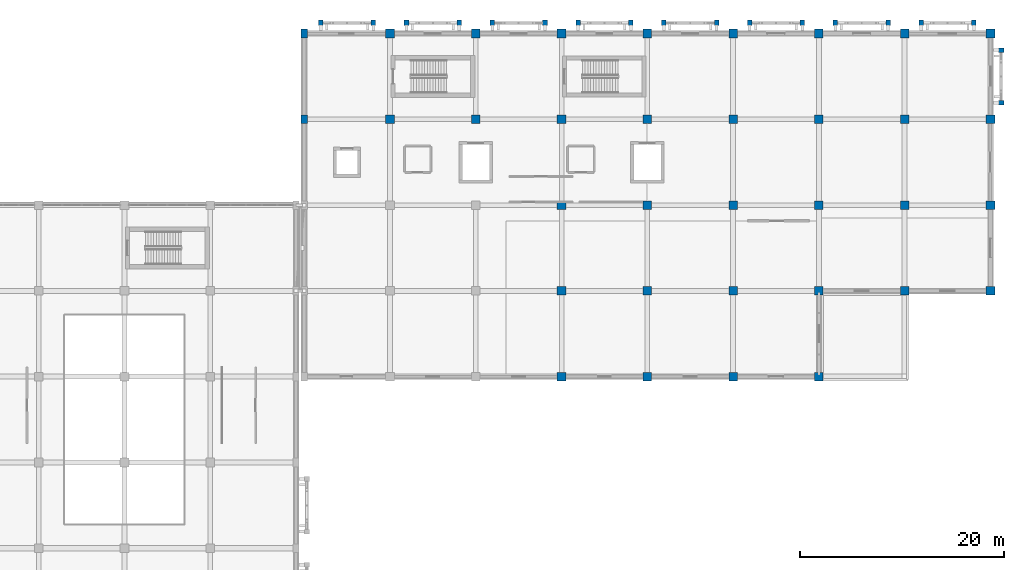
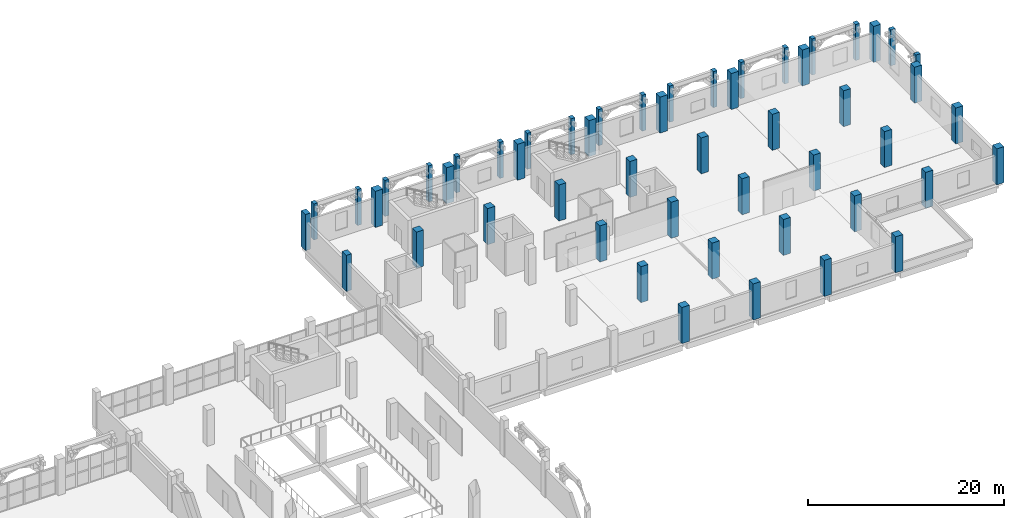
# One storey, part 2 of 137: 52 columns.
"""IFC4 building model written with IfcOpenShell, lengths in metres."""

from ifc_helpers import new_model, si_unit, direction, frame, origin, origin_2d, place, context, subcontext, project, spatial, rectangle, extrude, material, material_profile, profile_set, type_object, element, save


model = new_model("IFC4")

# Units and contexts
model_context = context("Model", 3, precision=1e-05, world=origin(), true_north=direction((0.0, 1.0)))
body_context = subcontext(model_context, "Body", "Model", "MODEL_VIEW")
ifc_project = project(units=[si_unit("LENGTHUNIT", "METRE"), si_unit("AREAUNIT", "SQUARE_METRE"), si_unit("VOLUMEUNIT", "CUBIC_METRE"), si_unit("PLANEANGLEUNIT", "RADIAN"), si_unit("MASSUNIT", "GRAM", prefix="KILO")], contexts=[model_context])

# Site, building, storey
site_placement = place(None, origin())
site = spatial("IfcSite", under=ifc_project, at=site_placement, CompositionType="ELEMENT")
building_placement = place(site_placement, origin())
building = spatial("IfcBuilding", under=site, at=building_placement, Name="Xazarin Passage Department Store", CompositionType="ELEMENT")
storey_placement = place(building_placement, frame((0.0, 0.0, 5.39990234375)))
storey = spatial("IfcBuildingStorey", under=building, at=storey_placement, Name="L01", CompositionType="ELEMENT", Elevation=5.39990234375)

# Columns
ifc_material = material(Name="Concrete C40/50", Category="concrete")
ifc_material_profile_1 = material_profile(ifc_material, rectangle(XDim=0.85009765625, YDim=0.85009765625, at=origin_2d()), Name="RC 850x850")
ifc_profile_set_1 = profile_set([ifc_material_profile_1], Name="Concrete C40/50")
column_type_1 = type_object("IfcColumnType", Name="STR-COL-RC850", PredefinedType="COLUMN", material=ifc_profile_set_1)
for number, where, z_axis, x_axis, name in (
    (1, (127.60009765625, 76.39990234375, 0.0), (0.0, 0.0, 1.0), (1.0, 0.0, 0.0), "L01 Column 18/L"),
    (2, (136.0, 76.39990234375, 0.0), (0.0, 0.0, 1.0), (1.0, 0.0, 0.0), "L01 Column 19/L"),
    (3, (144.39990234375, 76.39990234375, 0.0), (0.0, 0.0, 1.0), (1.0, 0.0, 0.0), "L01 Column 20/L"),
    (4, (152.800048828125, 76.39990234375, 0.0), (0.0, 0.0, 1.0), (1.0, 0.0, 0.0), "L01 Column 21/L"),
    (5, (127.60009765625, 84.800048828125, 0.0), (0.0, 0.0, 1.0), (1.0, 0.0, 0.0), "L01 Column 18/M"),
    (6, (136.0, 84.800048828125, 0.0), (0.0, 0.0, 1.0), (1.0, 0.0, 0.0), "L01 Column 19/M"),
    (7, (144.39990234375, 84.800048828125, 0.0), (0.0, 0.0, 1.0), (1.0, 0.0, 0.0), "L01 Column 20/M"),
    (8, (152.800048828125, 84.800048828125, 0.0), (0.0, 0.0, 1.0), (1.0, 0.0, 0.0), "L01 Column 21/M"),
    (9, (161.199951171875, 84.800048828125, 0.0), (0.0, 0.0, 1.0), (1.0, 0.0, 0.0), "L01 Column 22/M"),
    (10, (169.60009765625, 84.800048828125, 0.0), (0.0, 0.0, 1.0), (1.0, 0.0, 0.0), "L01 Column 23/M"),
    (11, (127.60009765625, 93.199951171875, 0.0), (0.0, 0.0, 1.0), (1.0, 0.0, 0.0), "L01 Column 18/N"),
    (12, (136.0, 93.199951171875, 0.0), (0.0, 0.0, 1.0), (1.0, 0.0, 0.0), "L01 Column 19/N"),
    (13, (144.39990234375, 93.199951171875, 0.0), (0.0, 0.0, 1.0), (1.0, 0.0, 0.0), "L01 Column 20/N"),
    (14, (152.800048828125, 93.199951171875, 0.0), (0.0, 0.0, 1.0), (1.0, 0.0, 0.0), "L01 Column 21/N"),
    (15, (161.199951171875, 93.199951171875, 0.0), (0.0, 0.0, 1.0), (1.0, 0.0, 0.0), "L01 Column 22/N"),
    (16, (169.60009765625, 93.199951171875, 0.0), (0.0, 0.0, 1.0), (1.0, 0.0, 0.0), "L01 Column 23/N"),
    (17, (110.800048828125, 101.60009765625, 0.0), (0.0, 0.0, 1.0), (1.0, 0.0, 0.0), "L01 Column 16/P"),
    (18, (119.199951171875, 101.60009765625, 0.0), (0.0, 0.0, 1.0), (1.0, 0.0, 0.0), "L01 Column 17/P"),
    (19, (127.60009765625, 101.60009765625, 0.0), (0.0, 0.0, 1.0), (1.0, 0.0, 0.0), "L01 Column 18/P"),
    (20, (136.0, 101.60009765625, 0.0), (0.0, 0.0, 1.0), (1.0, 0.0, 0.0), "L01 Column 19/P"),
    (21, (144.39990234375, 101.60009765625, 0.0), (0.0, 0.0, 1.0), (1.0, 0.0, 0.0), "L01 Column 20/P"),
    (22, (152.800048828125, 101.60009765625, 0.0), (0.0, 0.0, 1.0), (1.0, 0.0, 0.0), "L01 Column 21/P"),
    (23, (161.199951171875, 101.60009765625, 0.0), (0.0, 0.0, 1.0), (1.0, 0.0, 0.0), "L01 Column 22/P"),
    (24, (169.60009765625, 101.60009765625, 0.0), (0.0, 0.0, 1.0), (1.0, 0.0, 0.0), "L01 Column 23/P"),
    (25, (110.800048828125, 110.0, 0.0), (0.0, 0.0, 1.0), (1.0, 0.0, 0.0), "L01 Column 16/Q"),
    (26, (119.199951171875, 110.0, 0.0), (0.0, 0.0, 1.0), (1.0, 0.0, 0.0), "L01 Column 17/Q"),
    (27, (127.60009765625, 110.0, 0.0), (0.0, 0.0, 1.0), (1.0, 0.0, 0.0), "L01 Column 18/Q"),
    (28, (136.0, 110.0, 0.0), (0.0, 0.0, 1.0), (1.0, 0.0, 0.0), "L01 Column 19/Q"),
    (29, (144.39990234375, 110.0, 0.0), (0.0, 0.0, 1.0), (1.0, 0.0, 0.0), "L01 Column 20/Q"),
    (30, (152.800048828125, 110.0, 0.0), (0.0, 0.0, 1.0), (1.0, 0.0, 0.0), "L01 Column 21/Q"),
    (31, (161.199951171875, 110.0, 0.0), (0.0, 0.0, 1.0), (1.0, 0.0, 0.0), "L01 Column 22/Q"),
    (32, (169.60009765625, 110.0, 0.0), (0.0, 0.0, 1.0), (1.0, 0.0, 0.0), "L01 Column 23/Q"),
):
    element("IfcColumn", number, at=place(storey_placement, frame(where, z_axis=z_axis, x_axis=x_axis)), inside=storey, type_object=column_type_1, Name=name, PredefinedType="COLUMN", context=body_context, shape_type="SweptSolid", body=[
        extrude(rectangle(XDim=0.85009765625, YDim=0.85009765625, at=origin_2d()), origin(), (0.0, 0.0, 1.0), 4.5),
    ])
ifc_material_profile_2 = material_profile(ifc_material, rectangle(XDim=0.60009765625, YDim=0.85009765625, at=origin_2d()), Name="RC 600x850")
ifc_profile_set_2 = profile_set([ifc_material_profile_2], Name="Concrete C40/50")
column_type_2 = type_object("IfcColumnType", Name="STR-COL-SJ850", PredefinedType="COLUMN", material=ifc_profile_set_2)
for number, where, z_axis, x_axis, name in (
    (33, (102.39990234375, 101.60009765625, 0.0), (0.0, 0.0, 1.0), (1.0, 0.0, 0.0), "L01 Column 15/P"),
    (34, (102.39990234375, 110.0, 0.0), (0.0, 0.0, 1.0), (1.0, 0.0, 0.0), "L01 Column 15/Q"),
):
    element("IfcColumn", number, at=place(storey_placement, frame(where, z_axis=z_axis, x_axis=x_axis)), inside=storey, type_object=column_type_2, Name=name, PredefinedType="COLUMN", context=body_context, shape_type="SweptSolid", body=[
        extrude(rectangle(XDim=0.60009765625, YDim=0.85009765625, at=origin_2d()), origin(), (0.0, 0.0, 1.0), 4.5),
    ])
ifc_material_profile_3 = material_profile(ifc_material, rectangle(XDim=0.449951171875, YDim=0.550048828125, at=origin_2d()), Name="RC 450x550")
ifc_profile_set_3 = profile_set([ifc_material_profile_3], Name="Concrete C40/50")
column_type_3 = type_object("IfcColumnType", Name="STR-PIL-RC450", PredefinedType="PILASTER", material=ifc_profile_set_3)
for number, where, z_axis, x_axis, name in (
    (35, (104.02001953125, 111.050048828125, 0.0), (0.0, 0.0, 1.0), (1.0, 0.0, 0.0), "L01 V4 Pierced-Arch Colonnade Pier 040L"),
    (36, (109.179931640625, 111.050048828125, 0.0), (0.0, 0.0, 1.0), (1.0, 0.0, 0.0), "L01 V4 Pierced-Arch Colonnade Pier 040R"),
    (37, (112.419921875, 111.050048828125, 0.0), (0.0, 0.0, 1.0), (1.0, 0.0, 0.0), "L01 V4 Pierced-Arch Colonnade Pier 041L"),
    (38, (117.580078125, 111.050048828125, 0.0), (0.0, 0.0, 1.0), (1.0, 0.0, 0.0), "L01 V4 Pierced-Arch Colonnade Pier 041R"),
    (39, (120.820068359375, 111.050048828125, 0.0), (0.0, 0.0, 1.0), (1.0, 0.0, 0.0), "L01 V4 Pierced-Arch Colonnade Pier 042L"),
    (40, (125.97998046875, 111.050048828125, 0.0), (0.0, 0.0, 1.0), (1.0, 0.0, 0.0), "L01 V4 Pierced-Arch Colonnade Pier 042R"),
    (41, (129.219970703125, 111.050048828125, 0.0), (0.0, 0.0, 1.0), (1.0, 0.0, 0.0), "L01 V4 Pierced-Arch Colonnade Pier 043L"),
    (42, (134.3798828125, 111.050048828125, 0.0), (0.0, 0.0, 1.0), (1.0, 0.0, 0.0), "L01 V4 Pierced-Arch Colonnade Pier 043R"),
    (43, (137.6201171875, 111.050048828125, 0.0), (0.0, 0.0, 1.0), (1.0, 0.0, 0.0), "L01 V4 Pierced-Arch Colonnade Pier 044L"),
    (44, (142.780029296875, 111.050048828125, 0.0), (0.0, 0.0, 1.0), (1.0, 0.0, 0.0), "L01 V4 Pierced-Arch Colonnade Pier 044R"),
    (45, (146.02001953125, 111.050048828125, 0.0), (0.0, 0.0, 1.0), (1.0, 0.0, 0.0), "L01 V4 Pierced-Arch Colonnade Pier 045L"),
    (46, (151.179931640625, 111.050048828125, 0.0), (0.0, 0.0, 1.0), (1.0, 0.0, 0.0), "L01 V4 Pierced-Arch Colonnade Pier 045R"),
    (47, (154.419921875, 111.050048828125, 0.0), (0.0, 0.0, 1.0), (1.0, 0.0, 0.0), "L01 V4 Pierced-Arch Colonnade Pier 046L"),
    (48, (159.580078125, 111.050048828125, 0.0), (0.0, 0.0, 1.0), (1.0, 0.0, 0.0), "L01 V4 Pierced-Arch Colonnade Pier 046R"),
    (49, (162.820068359375, 111.050048828125, 0.0), (0.0, 0.0, 1.0), (1.0, 0.0, 0.0), "L01 V4 Pierced-Arch Colonnade Pier 047L"),
    (50, (167.97998046875, 111.050048828125, 0.0), (0.0, 0.0, 1.0), (1.0, 0.0, 0.0), "L01 V4 Pierced-Arch Colonnade Pier 047R"),
    (51, (170.64990234375, 103.219970703125, 0.0), (0.0, 0.0, 1.0), (0.0, 1.0, 0.0), "L01 V4 Pierced-Arch Colonnade Pier 049L"),
    (52, (170.64990234375, 108.3798828125, 0.0), (0.0, 0.0, 1.0), (0.0, 1.0, 0.0), "L01 V4 Pierced-Arch Colonnade Pier 049R"),
):
    element("IfcColumn", number, at=place(storey_placement, frame(where, z_axis=z_axis, x_axis=x_axis)), inside=storey, type_object=column_type_3, Name=name, PredefinedType="PILASTER", context=body_context, shape_type="SweptSolid", body=[
        extrude(rectangle(XDim=0.449951171875, YDim=0.550048828125, at=origin_2d()), origin(), (0.0, 0.0, 1.0), 4.5),
    ])

save(model, "model.ifc")
